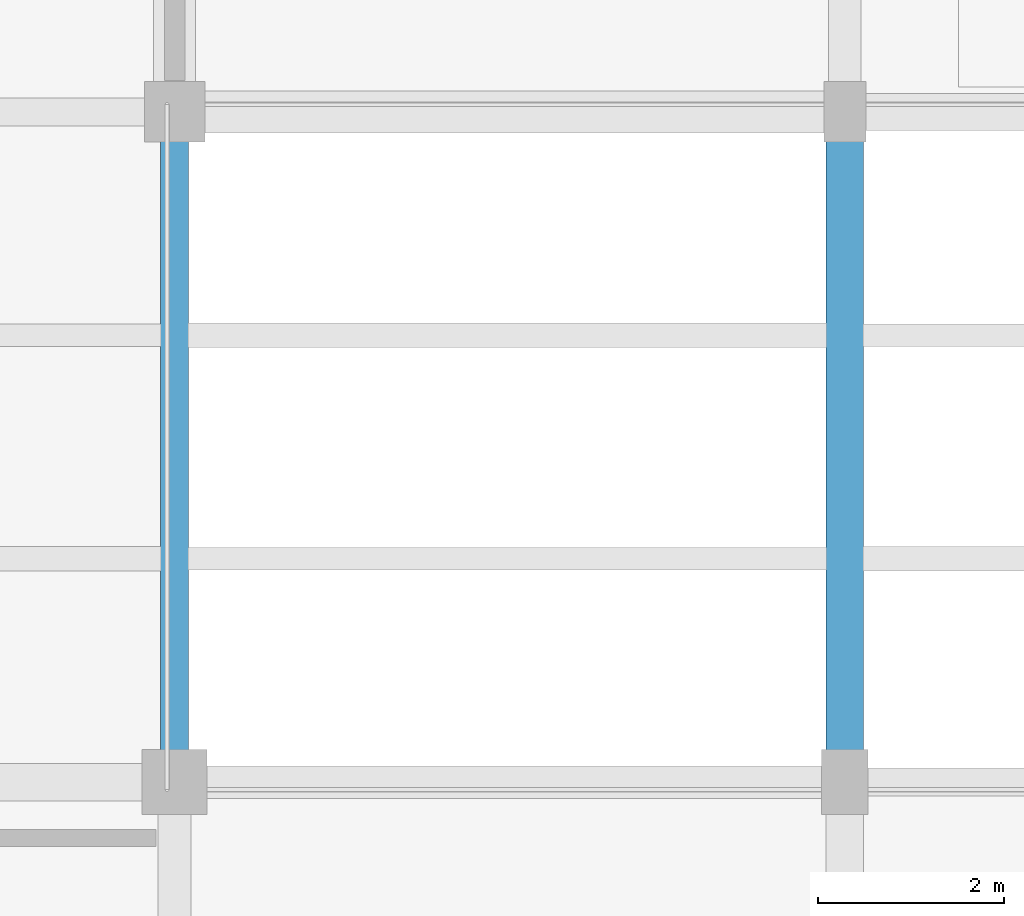
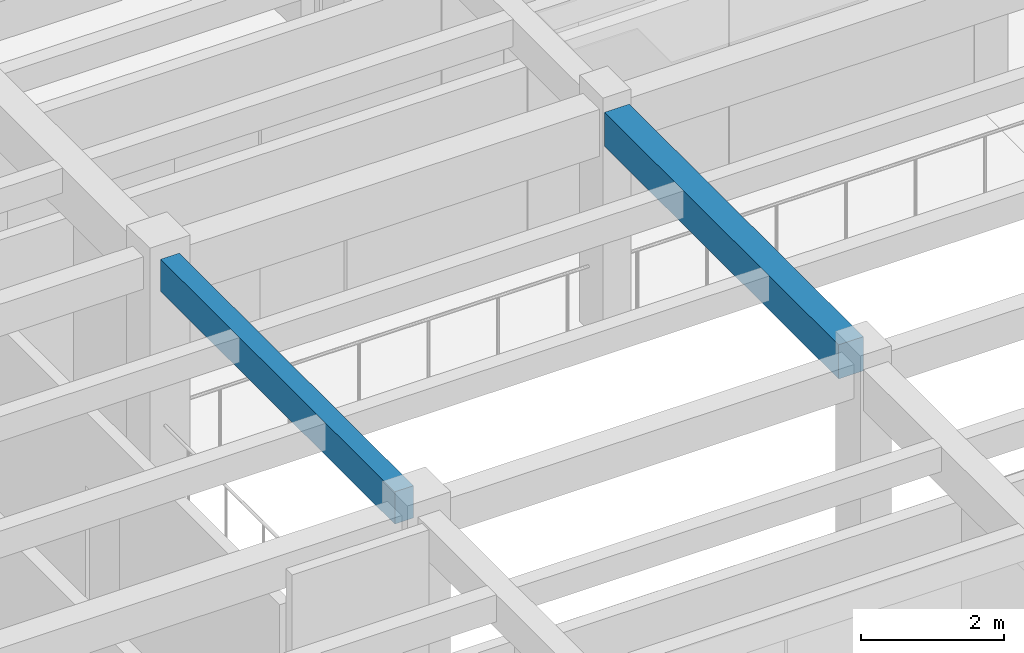
# One storey, part 28 of 110: 2 beams.
"""IFC4 building model written with IfcOpenShell, lengths in metres."""

from ifc_helpers import new_model, si_unit, direction, frame, origin, origin_2d, place, context, subcontext, project, spatial, rectangle, extrude, material, material_profile, profile_set, type_object, element, save


model = new_model("IFC4")

# Units and contexts
model_context = context("Model", 3, precision=1e-05, world=origin(), true_north=direction((0.0, 1.0)))
body_context = subcontext(model_context, "Body", "Model", "MODEL_VIEW")
ifc_project = project(units=[si_unit("LENGTHUNIT", "METRE"), si_unit("AREAUNIT", "SQUARE_METRE"), si_unit("VOLUMEUNIT", "CUBIC_METRE"), si_unit("PLANEANGLEUNIT", "RADIAN"), si_unit("MASSUNIT", "GRAM", prefix="KILO")], contexts=[model_context])

# Site, building, storey
site_placement = place(None, origin())
site = spatial("IfcSite", under=ifc_project, at=site_placement, CompositionType="ELEMENT")
building_placement = place(site_placement, origin())
building = spatial("IfcBuilding", under=site, at=building_placement, Name="Steenspoor Specialist Clinic", CompositionType="ELEMENT")
storey_placement = place(building_placement, frame((0.0, 0.0, 4.800048828125)))
storey = spatial("IfcBuildingStorey", under=building, at=storey_placement, Name="L01", CompositionType="ELEMENT", Elevation=4.800048828125)

# Beams
ifc_material = material(Name="Concrete C35/45", Category="concrete")
ifc_material_profile_1 = material_profile(ifc_material, rectangle(XDim=0.300048828125, YDim=0.550048828125, at=origin_2d()), Name="RC-BM-300X550")
ifc_profile_set_1 = profile_set([ifc_material_profile_1], Name="Concrete C35/45")
beam_type_1 = type_object("IfcBeamType", Name="BM-RC-300X550", PredefinedType="BEAM", material=ifc_profile_set_1)
beam_1_placement = place(storey_placement, frame((125.199951171875, 72.695068359375, 3.675048828125), z_axis=(0.0, 1.0, 0.0), x_axis=(-1.0, 0.0, 0.0)))
element("IfcBeam", 1, at=beam_1_placement, inside=storey, type_object=beam_type_1, Name="BM-V6-L01-Y1517", PredefinedType="BEAM", context=body_context, shape_type="SweptSolid", body=[
    extrude(rectangle(XDim=0.300048828125, YDim=0.550048828125, at=origin_2d()), origin(), (0.0, 0.0, 1.0), 6.534912109375),
])
ifc_material_profile_2 = material_profile(ifc_material, rectangle(XDim=0.39990234375, YDim=0.580078125, at=origin_2d()), Name="RC-BM-400X580")
ifc_profile_set_2 = profile_set([ifc_material_profile_2], Name="Concrete C35/45")
beam_type_2 = type_object("IfcBeamType", Name="BM-RC-400X580", PredefinedType="BEAM", material=ifc_profile_set_2)
beam_2_placement = place(storey_placement, frame((132.39990234375, 72.695068359375, 3.659912109375), z_axis=(0.0, 1.0, 0.0), x_axis=(-1.0, 0.0, 0.0)))
element("IfcBeam", 2, at=beam_2_placement, inside=storey, type_object=beam_type_2, Name="BM-V6-L01-Y1523", PredefinedType="BEAM", context=body_context, shape_type="SweptSolid", body=[
    extrude(rectangle(XDim=0.39990234375, YDim=0.580078125, at=origin_2d()), origin(), (0.0, 0.0, 1.0), 6.534912109375),
])

save(model, "model.ifc")
